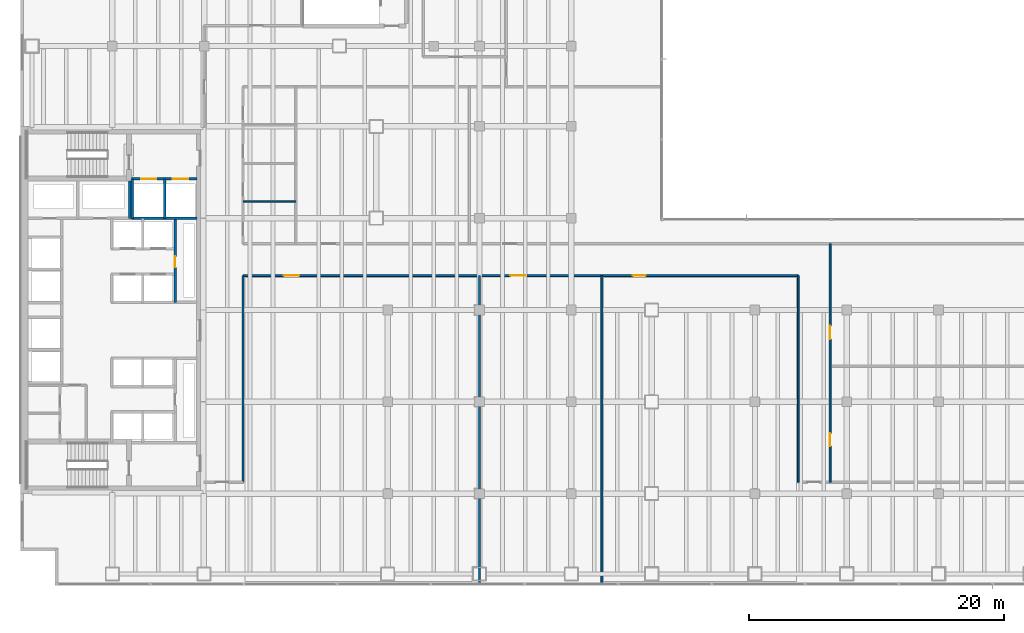
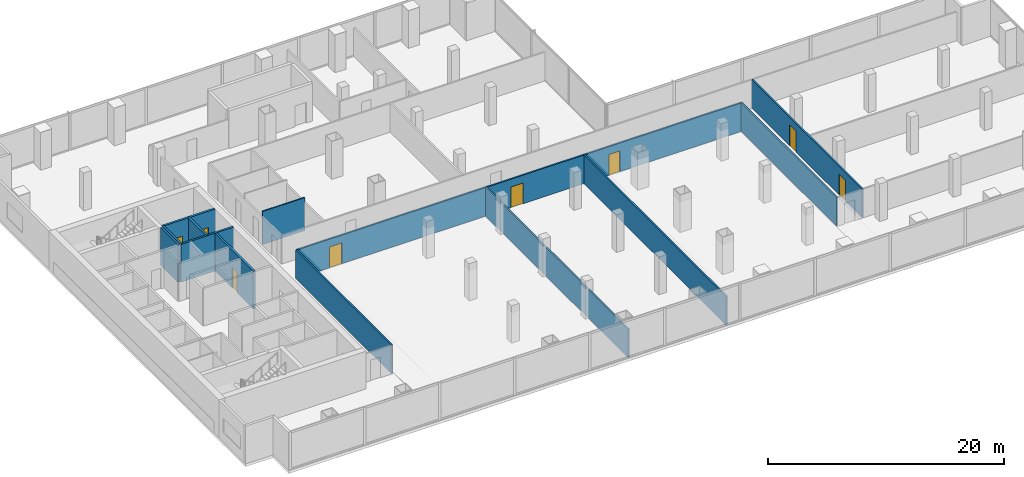
# One storey, part 23 of 32: 13 walls, 8 doors, 8 openings.
"""IFC4 building model written with IfcOpenShell, lengths in metres."""

from ifc_helpers import new_model, si_unit, direction, frame, frame_2d, origin, place, context, subcontext, project, spatial, rectangle, extrude, material, layer, layer_set, type_object, element, fill, save


model = new_model("IFC4")

# Units and contexts
model_context = context("Model", 3, precision=1e-05, world=origin(), true_north=direction((0.0, 1.0)))
body_context = subcontext(model_context, "Body", "Model", "MODEL_VIEW")
ifc_project = project(units=[si_unit("LENGTHUNIT", "METRE"), si_unit("AREAUNIT", "SQUARE_METRE"), si_unit("VOLUMEUNIT", "CUBIC_METRE"), si_unit("PLANEANGLEUNIT", "RADIAN"), si_unit("MASSUNIT", "GRAM", prefix="KILO")], contexts=[model_context])

# Site, building, storey
site_placement = place(None, origin())
site = spatial("IfcSite", under=ifc_project, at=site_placement, CompositionType="ELEMENT")
building_placement = place(site_placement, origin())
building = spatial("IfcBuilding", under=site, at=building_placement, Name="Cobrela Telecom Tower", CompositionType="ELEMENT")
storey_placement = place(building_placement, frame((0.0, 0.0, 22.050048828125)))
storey = spatial("IfcBuildingStorey", under=building, at=storey_placement, Name="L05", CompositionType="ELEMENT", Elevation=22.050048828125)

# Walls
ifc_material_1 = material(Name="Fire-Rated Gypsum Plasterboard")
ifc_layer_1 = layer(ifc_material_1, 0.125)
ifc_layer_set_1 = layer_set([ifc_layer_1], Name="Fire-Rated Gypsum Plasterboard")
wall_type_1 = type_object("IfcWallType", Name="WALL-PART-125", PredefinedType="PARTITIONING", material=ifc_layer_set_1)
wall_1_placement = place(storey_placement, frame((17.449951171875, 30.10009765625, 0.0), z_axis=(0.0, 0.0, 1.0), x_axis=(1.0, 0.0, 0.0)))
element("IfcWall", 1, at=wall_1_placement, inside=storey, type_object=wall_type_1, Name="L05 Interior Partition W-P4WC-3", PredefinedType="PARTITIONING", context=body_context, shape_type="SweptSolid", body=[
    extrude(rectangle(XDim=4.150146484375, YDim=0.125, at=frame_2d((2.0751953125, 0.0))), origin(), (0.0, 0.0, 1.0), 3.41796875),
])
ifc_layer_2 = layer(ifc_material_1, 0.14990234375)
ifc_layer_set_2 = layer_set([ifc_layer_2], Name="Fire-Rated Gypsum Plasterboard")
wall_type_2 = type_object("IfcWallType", Name="WALL-PART-150", PredefinedType="PARTITIONING", material=ifc_layer_set_2)
wall_2_placement = place(storey_placement, frame((17.449951171875, 8.10009765625, 0.0), z_axis=(0.0, 0.0, 1.0), x_axis=(0.0, 1.0, 0.0)))
element("IfcWall", 2, at=wall_2_placement, inside=storey, type_object=wall_type_2, Name="L05 Interior Partition W-P4-E1", PredefinedType="PARTITIONING", context=body_context, shape_type="SweptSolid", body=[
    extrude(rectangle(XDim=16.199951171875, YDim=0.14990234375, at=frame_2d((8.10009765625, 0.0))), origin(), (0.0, 0.0, 1.0), 2.9580078125),
])

# Wall, openings, doors
wall_3_placement = place(storey_placement, frame((17.449951171875, 24.300048828125, 0.0), z_axis=(0.0, 0.0, 1.0), x_axis=(1.0, 0.0, 0.0)))
wall_3 = element("IfcWall", 3, at=wall_3_placement, inside=storey, type_object=wall_type_2, Name="L05 Interior Partition W-P4-CS", PredefinedType="PARTITIONING", context=body_context, shape_type="SweptSolid", body=[
    extrude(rectangle(XDim=43.550048828125, YDim=0.14990234375, at=frame_2d((21.77490234375, 0.0))), origin(), (0.0, 0.0, 1.0), 2.9580078125),
])
opening_1_placement = place(wall_3_placement, frame((3.199951171875, 0.0, 0.0)))
opening_1 = element("IfcOpeningElement", 4, at=opening_1_placement, cuts=wall_3, Name="Opening DR-13", PredefinedType="OPENING", context=body_context, shape_type="SweptSolid", body=[
    extrude(rectangle(XDim=1.199951171875, YDim=2.14990234375, at=frame_2d((0.60009765625, 1.074951171875))), frame((0.0, 0.0869140625, 0.0), z_axis=(0.0, -1.0, 0.0), x_axis=(1.0, 0.0, 0.0)), (0.0, 0.0, 1.0), 0.173828125),
])
opening_2_placement = place(wall_3_placement, frame((20.949951171875, 0.0, 0.0)))
opening_2 = element("IfcOpeningElement", 5, at=opening_2_placement, cuts=wall_3, Name="Opening DR-13", PredefinedType="OPENING", context=body_context, shape_type="SweptSolid", body=[
    extrude(rectangle(XDim=1.199951171875, YDim=2.14990234375, at=frame_2d((0.60009765625, 1.074951171875))), frame((0.0, 0.0869140625, 0.0), z_axis=(0.0, -1.0, 0.0), x_axis=(1.0, 0.0, 0.0)), (0.0, 0.0, 1.0), 0.173828125),
])
opening_3_placement = place(wall_3_placement, frame((30.550048828125, 0.0, 0.0)))
opening_3 = element("IfcOpeningElement", 6, at=opening_3_placement, cuts=wall_3, Name="Opening DR-29", PredefinedType="OPENING", context=body_context, shape_type="SweptSolid", body=[
    extrude(rectangle(XDim=1.050048828125, YDim=2.14990234375, at=frame_2d((0.52490234375, 1.074951171875))), frame((0.0, 0.0869140625, 0.0), z_axis=(0.0, -1.0, 0.0), x_axis=(1.0, 0.0, 0.0)), (0.0, 0.0, 1.0), 0.173828125),
])
ifc_material_2 = material(Name="Solid Engineered Oak Timber", Category="wood")
door_type_1 = type_object("IfcDoorType", Name="DOOR-INT-1050", OperationType="SINGLE_SWING_LEFT", PredefinedType="DOOR", material=ifc_material_2)
door_1_placement = place(opening_3_placement, origin())
door_1 = element("IfcDoor", 7, at=door_1_placement, inside=storey, type_object=door_type_1, Name="L05 Door DR-29", OperationType="SINGLE_SWING_LEFT", OverallHeight=2.14990234375, OverallWidth=1.050048828125, PredefinedType="DOOR", context=body_context, shape_type="SweptSolid", body=[
    extrude(rectangle(XDim=1.050048828125, YDim=2.14990234375, at=frame_2d((0.52490234375, 1.074951171875))), frame((0.0, 0.02490234375, 0.0), z_axis=(0.0, -1.0, 0.0), x_axis=(1.0, 0.0, 0.0)), (0.0, 0.0, 1.0), 0.050048828125),
])
fill(opening_3, door_1)
ifc_material_3 = material(Name="Anodized Bronze Aluminium 6063-T6", Category="aluminium")
door_type_2 = type_object("IfcDoorType", Name="DOOR-INT-1200", OperationType="SINGLE_SWING_LEFT", PredefinedType="DOOR", material=ifc_material_3)
door_2_placement = place(opening_1_placement, origin())
door_2 = element("IfcDoor", 8, at=door_2_placement, inside=storey, type_object=door_type_2, Name="L05 Door DR-13", OperationType="SINGLE_SWING_LEFT", OverallHeight=2.14990234375, OverallWidth=1.199951171875, PredefinedType="DOOR", context=body_context, shape_type="SweptSolid", body=[
    extrude(rectangle(XDim=1.199951171875, YDim=2.14990234375, at=frame_2d((0.60009765625, 1.074951171875))), frame((0.0, 0.02490234375, 0.0), z_axis=(0.0, -1.0, 0.0), x_axis=(1.0, 0.0, 0.0)), (0.0, 0.0, 1.0), 0.050048828125),
])
fill(opening_1, door_2)
door_3_placement = place(opening_2_placement, origin())
door_3 = element("IfcDoor", 9, at=door_3_placement, inside=storey, type_object=door_type_2, Name="L05 Door DR-13", OperationType="SINGLE_SWING_RIGHT", OverallHeight=2.14990234375, OverallWidth=1.199951171875, PredefinedType="DOOR", context=body_context, shape_type="SweptSolid", body=[
    extrude(rectangle(XDim=1.199951171875, YDim=2.14990234375, at=frame_2d((0.60009765625, 1.074951171875))), frame((0.0, 0.02490234375, 0.0), z_axis=(0.0, -1.0, 0.0), x_axis=(1.0, 0.0, 0.0)), (0.0, 0.0, 1.0), 0.050048828125),
])
fill(opening_2, door_3)

# Wall
wall_4_placement = place(storey_placement, frame((61.0, 8.10009765625, 0.0), z_axis=(0.0, 0.0, 1.0), x_axis=(0.0, 1.0, 0.0)))
element("IfcWall", 10, at=wall_4_placement, inside=storey, type_object=wall_type_2, Name="L05 Interior Partition W-P4-LPW", PredefinedType="PARTITIONING", context=body_context, shape_type="SweptSolid", body=[
    extrude(rectangle(XDim=16.199951171875, YDim=0.14990234375, at=frame_2d((8.10009765625, 0.0))), origin(), (0.0, 0.0, 1.0), 2.9580078125),
])

# Wall, openings, doors
wall_5_placement = place(storey_placement, frame((63.5, 8.10009765625, 0.0), z_axis=(0.0, 0.0, 1.0), x_axis=(0.0, 1.0, 0.0)))
wall_5 = element("IfcWall", 11, at=wall_5_placement, inside=storey, type_object=wall_type_2, Name="L05 Interior Partition W-P4-LPE", PredefinedType="PARTITIONING", context=body_context, shape_type="SweptSolid", body=[
    extrude(rectangle(XDim=18.699951171875, YDim=0.14990234375, at=frame_2d((9.35009765625, 0.0))), origin(), (0.0, 0.0, 1.0), 2.9580078125),
])
opening_4_placement = place(wall_5_placement, frame((11.199951171875, 0.0, 0.0)))
opening_4 = element("IfcOpeningElement", 12, at=opening_4_placement, cuts=wall_5, Name="Opening DR-29", PredefinedType="OPENING", context=body_context, shape_type="SweptSolid", body=[
    extrude(rectangle(XDim=1.050048828125, YDim=2.14990234375, at=frame_2d((0.52490234375, 1.074951171875))), frame((0.0, 0.0869140625, 0.0), z_axis=(0.0, -1.0, 0.0), x_axis=(1.0, 0.0, 0.0)), (0.0, 0.0, 1.0), 0.173828125),
])
opening_5_placement = place(wall_5_placement, frame((2.800048828125, 0.0, 0.0)))
opening_5 = element("IfcOpeningElement", 13, at=opening_5_placement, cuts=wall_5, Name="Opening DR-29", PredefinedType="OPENING", context=body_context, shape_type="SweptSolid", body=[
    extrude(rectangle(XDim=1.050048828125, YDim=2.14990234375, at=frame_2d((0.52490234375, 1.074951171875))), frame((0.0, 0.0869140625, 0.0), z_axis=(0.0, -1.0, 0.0), x_axis=(1.0, 0.0, 0.0)), (0.0, 0.0, 1.0), 0.173828125),
])
door_4_placement = place(opening_4_placement, origin())
door_4 = element("IfcDoor", 14, at=door_4_placement, inside=storey, type_object=door_type_1, Name="L05 Door DR-29", OperationType="SINGLE_SWING_LEFT", OverallHeight=2.14990234375, OverallWidth=1.050048828125, PredefinedType="DOOR", context=body_context, shape_type="SweptSolid", body=[
    extrude(rectangle(XDim=1.050048828125, YDim=2.14990234375, at=frame_2d((0.52490234375, 1.074951171875))), frame((0.0, 0.02490234375, 0.0), z_axis=(0.0, -1.0, 0.0), x_axis=(1.0, 0.0, 0.0)), (0.0, 0.0, 1.0), 0.050048828125),
])
fill(opening_4, door_4)
door_5_placement = place(opening_5_placement, origin())
door_5 = element("IfcDoor", 15, at=door_5_placement, inside=storey, type_object=door_type_1, Name="L05 Door DR-29", OperationType="SINGLE_SWING_RIGHT", OverallHeight=2.14990234375, OverallWidth=1.050048828125, PredefinedType="DOOR", context=body_context, shape_type="SweptSolid", body=[
    extrude(rectangle(XDim=1.050048828125, YDim=2.14990234375, at=frame_2d((0.52490234375, 1.074951171875))), frame((0.0, 0.02490234375, 0.0), z_axis=(0.0, -1.0, 0.0), x_axis=(1.0, 0.0, 0.0)), (0.0, 0.0, 1.0), 0.050048828125),
])
fill(opening_5, door_5)

# Walls
for number, where, z_axis, x_axis, name in (
    (16, (36.0, 0.1201171875, 0.0), (0.0, 0.0, 1.0), (0.0, 1.0, 0.0), "L05 Interior Partition W-P4-SV1"),
    (17, (45.60009765625, 0.1201171875, 0.0), (0.0, 0.0, 1.0), (0.0, 1.0, 0.0), "L05 Interior Partition W-P4-SV2"),
):
    element("IfcWall", number, at=place(storey_placement, frame(where, z_axis=z_axis, x_axis=x_axis)), inside=storey, type_object=wall_type_2, Name=name, PredefinedType="PARTITIONING", context=body_context, shape_type="SweptSolid", body=[
        extrude(rectangle(XDim=24.179931640625, YDim=0.14990234375, at=frame_2d((12.08984375, 0.0))), origin(), (0.0, 0.0, 1.0), 2.9580078125),
    ])

# Wall, openings, doors
ifc_layer_3 = layer(ifc_material_1, 0.199951171875)
ifc_layer_set_3 = layer_set([ifc_layer_3], Name="Fire-Rated Gypsum Plasterboard")
wall_type_3 = type_object("IfcWallType", Name="WALL-SHAFT-200", PredefinedType="PARTITIONING", material=ifc_layer_set_3)
wall_6_placement = place(storey_placement, frame((8.699951171875, 31.8798828125, 0.0), z_axis=(0.0, 0.0, 1.0), x_axis=(1.0, 0.0, 0.0)))
wall_6 = element("IfcWall", 18, at=wall_6_placement, inside=storey, type_object=wall_type_3, Name="L05 Shaft Enclosure CW-FFL-S", PredefinedType="PARTITIONING", context=body_context, shape_type="SweptSolid", body=[
    extrude(rectangle(XDim=5.150146484375, YDim=0.199951171875, at=frame_2d((2.5751953125, 0.0))), origin(), (0.0, 0.0, 1.0), 3.89990234375),
])
opening_6_placement = place(wall_6_placement, frame((0.75, 0.0, 0.0)))
opening_6 = element("IfcOpeningElement", 19, at=opening_6_placement, cuts=wall_6, Name="Opening LD-2", PredefinedType="OPENING", context=body_context, shape_type="SweptSolid", body=[
    extrude(rectangle(XDim=1.199951171875, YDim=2.199951171875, at=frame_2d((0.60009765625, 1.10009765625))), frame((0.0, 0.11181640625, 0.0), z_axis=(0.0, -1.0, 0.0), x_axis=(1.0, 0.0, 0.0)), (0.0, 0.0, 1.0), 0.223876953125),
])
opening_7_placement = place(wall_6_placement, frame((3.25, 0.0, 0.0)))
opening_7 = element("IfcOpeningElement", 20, at=opening_7_placement, cuts=wall_6, Name="Opening LD-2", PredefinedType="OPENING", context=body_context, shape_type="SweptSolid", body=[
    extrude(rectangle(XDim=1.199951171875, YDim=2.199951171875, at=frame_2d((0.60009765625, 1.10009765625))), frame((0.0, 0.11181640625, 0.0), z_axis=(0.0, -1.0, 0.0), x_axis=(1.0, 0.0, 0.0)), (0.0, 0.0, 1.0), 0.223876953125),
])
ifc_material_4 = material(Name="Steel ASTM A36", Category="steel")
door_type_3 = type_object("IfcDoorType", Name="DOOR-LD-FFL", OperationType="SINGLE_SWING_LEFT", PredefinedType="DOOR", material=ifc_material_4)
door_6_placement = place(opening_6_placement, origin())
door_6 = element("IfcDoor", 21, at=door_6_placement, inside=storey, type_object=door_type_3, Name="L05 Lift Landing Door LD-2", OperationType="DOUBLE_DOOR_SLIDING", OverallHeight=2.199951171875, OverallWidth=1.199951171875, PredefinedType="DOOR", context=body_context, shape_type="SweptSolid", body=[
    extrude(rectangle(XDim=1.199951171875, YDim=2.199951171875, at=frame_2d((0.60009765625, 1.10009765625))), frame((0.0, 0.02490234375, 0.0), z_axis=(0.0, -1.0, 0.0), x_axis=(1.0, 0.0, 0.0)), (0.0, 0.0, 1.0), 0.050048828125),
])
fill(opening_6, door_6)
door_7_placement = place(opening_7_placement, origin())
door_7 = element("IfcDoor", 22, at=door_7_placement, inside=storey, type_object=door_type_3, Name="L05 Lift Landing Door LD-2", OperationType="DOUBLE_DOOR_SLIDING", OverallHeight=2.199951171875, OverallWidth=1.199951171875, PredefinedType="DOOR", context=body_context, shape_type="SweptSolid", body=[
    extrude(rectangle(XDim=1.199951171875, YDim=2.199951171875, at=frame_2d((0.60009765625, 1.10009765625))), frame((0.0, 0.02490234375, 0.0), z_axis=(0.0, -1.0, 0.0), x_axis=(1.0, 0.0, 0.0)), (0.0, 0.0, 1.0), 0.050048828125),
])
fill(opening_7, door_7)

# Walls
wall_7_placement = place(storey_placement, frame((8.699951171875, 28.780029296875, 0.0), z_axis=(0.0, 0.0, 1.0), x_axis=(1.0, 0.0, 0.0)))
element("IfcWall", 23, at=wall_7_placement, inside=storey, type_object=wall_type_3, Name="L05 Shaft Enclosure CW-FFL-S2", PredefinedType="PARTITIONING", context=body_context, shape_type="SweptSolid", body=[
    extrude(rectangle(XDim=5.150146484375, YDim=0.199951171875, at=frame_2d((2.5751953125, 0.0))), origin(), (0.0, 0.0, 1.0), 3.89990234375),
])
for number, where, z_axis, x_axis, name in (
    (24, (8.780029296875, 28.780029296875, 0.0), (0.0, 0.0, 1.0), (0.0, 1.0, 0.0), "L05 Shaft Enclosure CW-FFL-W"),
    (25, (11.300048828125, 28.780029296875, 0.0), (0.0, 0.0, 1.0), (0.0, 1.0, 0.0), "L05 Shaft Enclosure CW-FFL-M"),
):
    element("IfcWall", number, at=place(storey_placement, frame(where, z_axis=z_axis, x_axis=x_axis)), inside=storey, type_object=wall_type_3, Name=name, PredefinedType="PARTITIONING", context=body_context, shape_type="SweptSolid", body=[
        extrude(rectangle(XDim=3.099853515625, YDim=0.199951171875, at=frame_2d((1.5498046875, 0.0))), origin(), (0.0, 0.0, 1.0), 3.89990234375),
    ])
wall_8_placement = place(storey_placement, frame((8.550048828125, 28.780029296875, 0.0), z_axis=(0.0, 0.0, 1.0), x_axis=(0.0, 1.0, 0.0)))
element("IfcWall", 26, at=wall_8_placement, inside=storey, type_object=wall_type_3, Name="L05 Shaft Enclosure CW-RIS-E", PredefinedType="PARTITIONING", context=body_context, shape_type="SweptSolid", body=[
    extrude(rectangle(XDim=2.93994140625, YDim=0.199951171875, at=frame_2d((1.469970703125, 0.0))), origin(), (0.0, 0.0, 1.0), 3.89990234375),
])

# Wall, opening, door
wall_9_placement = place(storey_placement, frame((12.1201171875, 22.199951171875, 0.0), z_axis=(0.0, 0.0, 1.0), x_axis=(0.0, 1.0, 0.0)))
wall_9 = element("IfcWall", 27, at=wall_9_placement, inside=storey, type_object=wall_type_3, Name="L05 Shaft Enclosure CW-PLL-V3", PredefinedType="PARTITIONING", context=body_context, shape_type="SweptSolid", body=[
    extrude(rectangle(XDim=6.580078125, YDim=0.199951171875, at=frame_2d((3.2900390625, 0.0))), origin(), (0.0, 0.0, 1.0), 3.89990234375),
])
opening_8_placement = place(wall_9_placement, frame((2.75, 0.0, 0.0)))
opening_8 = element("IfcOpeningElement", 28, at=opening_8_placement, cuts=wall_9, Name="Opening DR-11", PredefinedType="OPENING", context=body_context, shape_type="SweptSolid", body=[
    extrude(rectangle(XDim=0.85009765625, YDim=2.14990234375, at=frame_2d((0.425048828125, 1.074951171875))), frame((0.0, 0.11181640625, 0.0), z_axis=(0.0, -1.0, 0.0), x_axis=(1.0, 0.0, 0.0)), (0.0, 0.0, 1.0), 0.223876953125),
])
door_type_4 = type_object("IfcDoorType", Name="DOOR-INT-850", OperationType="SINGLE_SWING_LEFT", PredefinedType="DOOR", material=ifc_material_2)
door_8_placement = place(opening_8_placement, origin())
door_8 = element("IfcDoor", 29, at=door_8_placement, inside=storey, type_object=door_type_4, Name="L05 Door DR-11", OperationType="SINGLE_SWING_LEFT", OverallHeight=2.14990234375, OverallWidth=0.85009765625, PredefinedType="DOOR", context=body_context, shape_type="SweptSolid", body=[
    extrude(rectangle(XDim=0.85009765625, YDim=2.14990234375, at=frame_2d((0.425048828125, 1.074951171875))), frame((0.0, 0.02490234375, 0.0), z_axis=(0.0, -1.0, 0.0), x_axis=(1.0, 0.0, 0.0)), (0.0, 0.0, 1.0), 0.050048828125),
])
fill(opening_8, door_8)

save(model, "model.ifc")
